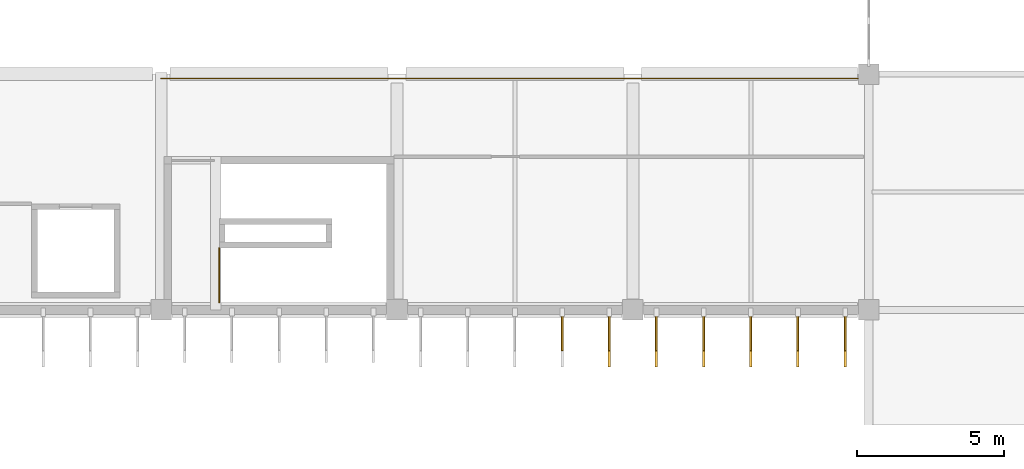
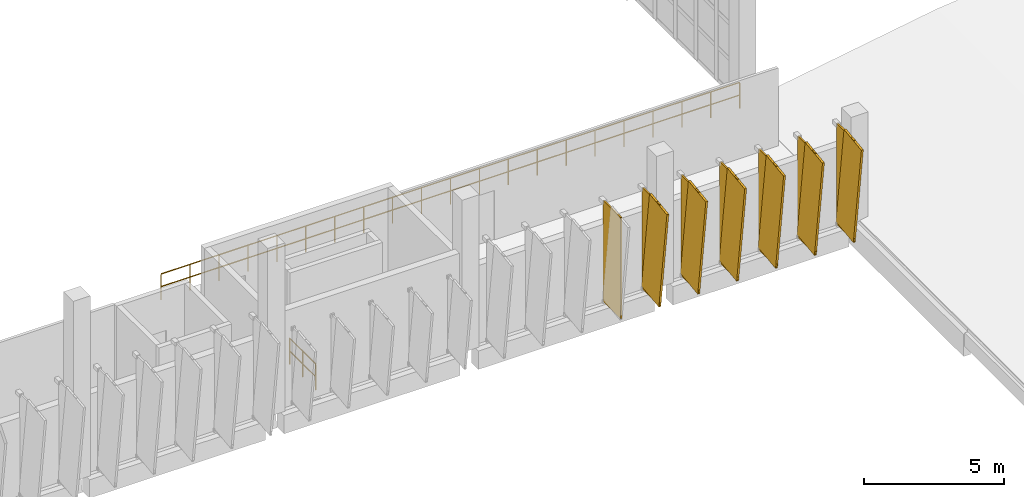
# One storey, part 62 of 66: 7 shading devices, 6 coverings, 2 railings.
"""IFC4 building model written with IfcOpenShell, lengths in metres."""

import ifcopenshell
import ifcopenshell.guid

model = None  # the IFC model being written
_history = None  # IfcOwnerHistory: only IFC2X3 demands one
_inside = {}  # id of a spatial element -> (the spatial element, [elements in it])
_under = {}  # id of a project, library or spatial element -> (it, [spatial elements below it])
_declared = {}  # id of a project -> (the project, [libraries it declares])
_typed = {}  # id of a type object -> (the type object, [elements of that type])
_made_of = {}  # id of a material, layer set ... -> (it, [elements and type objects made of it])


def new_model(schema):
    """Start an empty IFC model of exactly this schema.

    Asked for "IFC4X3", IfcOpenShell would pick the latest addendum, in which some entities
    have other attributes; the version numbers below select the first issue.
    IFC2X3 requires an IfcOwnerHistory on every rooted entity: one is made here for all.
    """
    global model, _history
    if schema == "IFC4X3":
        model = ifcopenshell.file(schema_version=(4, 3, 0, 0))
    else:
        model = ifcopenshell.file(schema=schema)
    _inside.clear()
    _under.clear()
    _declared.clear()
    _typed.clear()
    _made_of.clear()
    _history = None
    if model.schema == "IFC2X3":
        org = make("IfcOrganization", Name="unknown")
        user = make(
            "IfcPersonAndOrganization",
            ThePerson=make("IfcPerson", FamilyName="unknown"),
            TheOrganization=org,
        )
        app = make(
            "IfcApplication",
            ApplicationDeveloper=org,
            Version="unknown",
            ApplicationFullName="unknown",
            ApplicationIdentifier="unknown",
        )
        _history = make(
            "IfcOwnerHistory",
            OwningUser=user,
            OwningApplication=app,
            ChangeAction="ADDED",
            CreationDate=0,
        )
    return model


def make(cls, **values):
    """One entity of the class cls with the attributes given. An attribute that is None is left unset."""
    return model.create_entity(
        cls, **{name: value for name, value in values.items() if value is not None}
    )


def rooted(cls, **values):
    """An entity with a GlobalId (a new one), such as an element, a storey or a relation."""
    return make(cls, GlobalId=ifcopenshell.guid.new(), OwnerHistory=_history, **values)


def si_unit(unit_type, name, prefix=None):
    """IfcSIUnit, for example si_unit("LENGTHUNIT", "METRE", prefix="MILLI")."""
    return make("IfcSIUnit", UnitType=unit_type, Prefix=prefix, Name=name)


def assignment(units):
    """IfcUnitAssignment: the units of a project."""
    return None if units is None else make("IfcUnitAssignment", Units=units)


def point(xyz):
    """IfcCartesianPoint."""
    return None if xyz is None else make("IfcCartesianPoint", Coordinates=xyz)


def direction(xyz):
    """IfcDirection."""
    return None if xyz is None else make("IfcDirection", DirectionRatios=xyz)


def frame(location, z_axis=None, x_axis=None):
    """IfcAxis2Placement3D, a coordinate frame: its origin and axes. An axis left out is left unset."""
    return make(
        "IfcAxis2Placement3D",
        Location=point(location),
        Axis=direction(z_axis),
        RefDirection=direction(x_axis),
    )


def frame_2d(location, x_axis=None):
    """IfcAxis2Placement2D, a coordinate frame in the plane: its origin and x axis."""
    return make(
        "IfcAxis2Placement2D", Location=point(location), RefDirection=direction(x_axis)
    )


def origin():
    """The frame at (0, 0, 0) with its axes left unset."""
    return frame((0.0, 0.0, 0.0))


def origin_2d():
    """The frame at (0, 0) in the plane with its x axis left unset."""
    return frame_2d((0.0, 0.0))


def place(relative_to, where):
    """IfcLocalPlacement: puts the frame where relative to a parent placement (None: the world)."""
    return make(
        "IfcLocalPlacement", PlacementRelTo=relative_to, RelativePlacement=where
    )


def context(
    kind, dimensions, precision=None, world=None, true_north=None, identifier=None
):
    """IfcGeometricRepresentationContext, for example the 3D "Model" context."""
    return make(
        "IfcGeometricRepresentationContext",
        ContextIdentifier=identifier,
        ContextType=kind,
        CoordinateSpaceDimension=dimensions,
        Precision=precision,
        WorldCoordinateSystem=world,
        TrueNorth=true_north,
    )


def subcontext(parent, identifier, kind, view, scale=None):
    """IfcGeometricRepresentationSubContext, for example "Body" below "Model"."""
    return make(
        "IfcGeometricRepresentationSubContext",
        ContextIdentifier=identifier,
        ContextType=kind,
        ParentContext=parent,
        TargetScale=scale,
        TargetView=view,
    )


def project(units=None, contexts=None):
    """IfcProject with its units and contexts."""
    return rooted(
        "IfcProject",
        Name="project",
        RepresentationContexts=contexts,
        UnitsInContext=assignment(units),
    )


def spatial(cls, under=None, at=None, **own):
    """A site, building, storey or space (cls), placed at a placement, below another one or the project."""
    s = rooted(cls, ObjectPlacement=at, **own)
    if under is not None:
        _under.setdefault(under.id(), (under, []))[1].append(s)
    return s


def profile(cls, at=None, kind="AREA", **sizes):
    """A parametric profile (cls). Its sizes go by their IFC names, for example OverallWidth=200.0."""
    return make(cls, ProfileType=kind, Position=at, **sizes)


def rectangle(**sizes):
    """IfcRectangleProfileDef."""
    return profile("IfcRectangleProfileDef", **sizes)


def circle(**sizes):
    """IfcCircleProfileDef."""
    return profile("IfcCircleProfileDef", **sizes)


def extrude(swept, where, along, depth):
    """IfcExtrudedAreaSolid: the profile swept, set in the frame where, extruded along a direction by depth."""
    return make(
        "IfcExtrudedAreaSolid",
        SweptArea=swept,
        Position=where,
        ExtrudedDirection=direction(along),
        Depth=depth,
    )


def shape(context_of_items, identifier, shape_type, items):
    """IfcShapeRepresentation: the items that make up one representation, for example the "Body"."""
    return make(
        "IfcShapeRepresentation",
        ContextOfItems=context_of_items,
        RepresentationIdentifier=identifier,
        RepresentationType=shape_type,
        Items=items,
    )


def material(Name=None, Category=None):
    """IfcMaterial."""
    return make("IfcMaterial", Name=Name, Category=Category)


def made_of(thing, what):
    """Note that an element or type object is made of a material, layer set ...; save() writes the relation."""
    if what is not None:
        _made_of.setdefault(what.id(), (what, []))[1].append(thing)
    return thing


def type_object(cls, material=None, **own):
    """A type object (cls), such as IfcWallType, which elements share."""
    return made_of(rooted(cls, **own), material)


def element(
    cls,
    number,
    at=None,
    inside=None,
    cuts=None,
    type_object=None,
    material=None,
    context=None,
    identifier="Body",
    shape_type=None,
    held_by="IfcProductDefinitionShape",
    body=None,
    shapes=None,
    **own,
):
    """One element of the class cls, such as IfcWall. Its Tag is "e" and its number.

    at: its placement. inside: the storey or other place that contains it. cuts: it is an
    opening in that element (IfcRelVoidsElement). A single representation is given by context,
    identifier, shape_type and body (its items); several are given by shapes. held_by: the class
    of the entity that holds the representations. save() writes the other relations.
    """
    e = rooted(cls, Tag="e%d" % number, ObjectPlacement=at, **own)
    if body is not None:
        shapes = [shape(context, identifier, shape_type, body)]
    if shapes is not None:
        e.Representation = make(held_by, Representations=shapes)
    if inside is not None:
        _inside.setdefault(inside.id(), (inside, []))[1].append(e)
    if cuts is not None:
        rooted(
            "IfcRelVoidsElement", RelatingBuildingElement=cuts, RelatedOpeningElement=e
        )
    if type_object is not None:
        _typed.setdefault(type_object.id(), (type_object, []))[1].append(e)
    return made_of(e, material)


def aggregate(whole, parts):
    """IfcRelAggregates: a whole, such as a stair, and the parts it consists of."""
    return rooted("IfcRelAggregates", RelatingObject=whole, RelatedObjects=parts)


def save(model, path):
    """Write the relations noted so far, then the file.

    IfcRelAggregates (storeys below a building ...), IfcRelContainedInSpatialStructure (elements
    in a storey), IfcRelDefinesByType, IfcRelAssociatesMaterial and IfcRelDeclares: one each for
    every whole, place, type object, material and project.
    """
    for whole, parts in _under.values():
        aggregate(whole, parts)
    for where, things in _inside.values():
        rooted(
            "IfcRelContainedInSpatialStructure",
            RelatedElements=things,
            RelatingStructure=where,
        )
    for kind, things in _typed.values():
        rooted("IfcRelDefinesByType", RelatedObjects=things, RelatingType=kind)
    for what, things in _made_of.values():
        rooted("IfcRelAssociatesMaterial", RelatedObjects=things, RelatingMaterial=what)
    for by, libraries in _declared.values():
        rooted("IfcRelDeclares", RelatingContext=by, RelatedDefinitions=libraries)
    model.write(path)


model = new_model("IFC4")

# Units and contexts
model_context = context("Model", 3, precision=1e-05, world=origin(), true_north=direction((0.0, 1.0)))
body_context = subcontext(model_context, "Body", "Model", "MODEL_VIEW")
ifc_project = project(units=[si_unit("LENGTHUNIT", "METRE"), si_unit("AREAUNIT", "SQUARE_METRE"), si_unit("VOLUMEUNIT", "CUBIC_METRE"), si_unit("PLANEANGLEUNIT", "RADIAN"), si_unit("MASSUNIT", "GRAM", prefix="KILO")], contexts=[model_context])

# Site, building, storey
site_placement = place(None, origin())
site = spatial("IfcSite", under=ifc_project, at=site_placement, CompositionType="ELEMENT")
building_placement = place(site_placement, origin())
building = spatial("IfcBuilding", under=site, at=building_placement, Name="Drelvana Railside Aquatics Centre", CompositionType="ELEMENT")
storey_placement = place(building_placement, frame((0.0, 0.0, 10.199951171875)))
storey = spatial("IfcBuildingStorey", under=building, at=storey_placement, Name="L02", CompositionType="ELEMENT", Elevation=10.199951171875)

# Coverings
ifc_material_1 = material(Name="Bronze-anodised extruded aluminium 6063-T6", Category="aluminium")
covering_type = type_object("IfcCoveringType", Name="COV-FIN-ALU", PredefinedType="CLADDING", material=ifc_material_1)
for number, where, z_axis, x_axis, name in (
    (1, (87.199951171875, 15.264892578125, 0.038818359375), (0.0, -0.13052619222, 0.991444861374), (-1.0, 0.0, 0.0), "Vertical aluminium fin cladding CF-0128"),
    (2, (88.800048828125, 15.264892578125, 0.038818359375), (0.0, -0.13052619222, 0.991444861374), (-1.0, 0.0, 0.0), "Vertical aluminium fin cladding CF-0140"),
    (3, (90.39990234375, 15.264892578125, 0.038818359375), (0.0, -0.13052619222, 0.991444861374), (-1.0, 0.0, 0.0), "Vertical aluminium fin cladding CF-0141"),
    (4, (92.0, 15.264892578125, 0.038818359375), (0.0, -0.13052619222, 0.991444861374), (-1.0, 0.0, 0.0), "Vertical aluminium fin cladding CF-0142"),
    (5, (93.60009765625, 15.264892578125, 0.038818359375), (0.0, -0.13052619222, 0.991444861374), (-1.0, 0.0, 0.0), "Vertical aluminium fin cladding CF-0143"),
    (6, (95.199951171875, 15.264892578125, 0.038818359375), (0.0, -0.13052619222, 0.991444861374), (-1.0, 0.0, 0.0), "Vertical aluminium fin cladding CF-0144"),
):
    element("IfcCovering", number, at=place(storey_placement, frame(where, z_axis=z_axis, x_axis=x_axis)), inside=storey, type_object=covering_type, Name=name, PredefinedType="CLADDING", context=body_context, shape_type="SweptSolid", body=[
        extrude(rectangle(XDim=0.0849609375, YDim=1.25, at=origin_2d()), origin(), (0.0, 0.0, 1.0), 4.39990234375),
    ])

# Railings
ifc_material_2 = material(Name="Laminated glass and bronze-stainless gallery balustrade", Category="glass")
railing_type_1 = type_object("IfcRailingType", Name="RAL-GALLERY-1150", PredefinedType="BALUSTRADE", material=ifc_material_2)
railing_1_placement = place(storey_placement, frame((72.0, 23.85009765625, 0.0)))
element("IfcRailing", 7, at=railing_1_placement, inside=storey, type_object=railing_type_1, Name="Gallery balustrade 8 (L02)", PredefinedType="BALUSTRADE", context=body_context, shape_type="SweptSolid", body=[
    extrude(circle(Radius=0.02392578125, at=origin_2d()), frame((0.0, 0.0, 1.1259765625), z_axis=(1.0, 0.0, 0.0), x_axis=(0.0, 1.0, 0.0)), (0.0, 0.0, 1.0), 23.800048828125),
    extrude(circle(Radius=0.02392578125, at=origin_2d()), frame((0.0, 0.0, 0.574951171875), z_axis=(1.0, 0.0, 0.0), x_axis=(0.0, 1.0, 0.0)), (0.0, 0.0, 1.0), 23.800048828125),
    extrude(circle(Radius=0.02099609375, at=origin_2d()), origin(), (0.0, 0.0, 1.0), 1.101806640625),
    extrude(circle(Radius=0.02099609375, at=origin_2d()), frame((1.18994140625, 0.0, 0.0)), (0.0, 0.0, 1.0), 1.101806640625),
    extrude(circle(Radius=0.02099609375, at=origin_2d()), frame((2.3798828125, 0.0, 0.0)), (0.0, 0.0, 1.0), 1.101806640625),
    extrude(circle(Radius=0.02099609375, at=origin_2d()), frame((3.570068359375, 0.0, 0.0)), (0.0, 0.0, 1.0), 1.101806640625),
    extrude(circle(Radius=0.02099609375, at=origin_2d()), frame((4.760009765625, 0.0, 0.0)), (0.0, 0.0, 1.0), 1.101806640625),
    extrude(circle(Radius=0.02099609375, at=origin_2d()), frame((5.949951171875, 0.0, 0.0)), (0.0, 0.0, 1.0), 1.101806640625),
    extrude(circle(Radius=0.02099609375, at=origin_2d()), frame((7.14013671875, 0.0, 0.0)), (0.0, 0.0, 1.0), 1.101806640625),
    extrude(circle(Radius=0.02099609375, at=origin_2d()), frame((8.330078125, 0.0, 0.0)), (0.0, 0.0, 1.0), 1.101806640625),
    extrude(circle(Radius=0.02099609375, at=origin_2d()), frame((9.52001953125, 0.0, 0.0)), (0.0, 0.0, 1.0), 1.101806640625),
    extrude(circle(Radius=0.02099609375, at=origin_2d()), frame((10.7099609375, 0.0, 0.0)), (0.0, 0.0, 1.0), 1.101806640625),
    extrude(circle(Radius=0.02099609375, at=origin_2d()), frame((11.89990234375, 0.0, 0.0)), (0.0, 0.0, 1.0), 1.101806640625),
    extrude(circle(Radius=0.02099609375, at=origin_2d()), frame((13.090087890625, 0.0, 0.0)), (0.0, 0.0, 1.0), 1.101806640625),
    extrude(circle(Radius=0.02099609375, at=origin_2d()), frame((14.280029296875, 0.0, 0.0)), (0.0, 0.0, 1.0), 1.101806640625),
    extrude(circle(Radius=0.02099609375, at=origin_2d()), frame((15.469970703125, 0.0, 0.0)), (0.0, 0.0, 1.0), 1.101806640625),
    extrude(circle(Radius=0.02099609375, at=origin_2d()), frame((16.66015625, 0.0, 0.0)), (0.0, 0.0, 1.0), 1.101806640625),
    extrude(circle(Radius=0.02099609375, at=origin_2d()), frame((17.85009765625, 0.0, 0.0)), (0.0, 0.0, 1.0), 1.101806640625),
    extrude(circle(Radius=0.02099609375, at=origin_2d()), frame((19.0400390625, 0.0, 0.0)), (0.0, 0.0, 1.0), 1.101806640625),
    extrude(circle(Radius=0.02099609375, at=origin_2d()), frame((20.22998046875, 0.0, 0.0)), (0.0, 0.0, 1.0), 1.101806640625),
    extrude(circle(Radius=0.02099609375, at=origin_2d()), frame((21.419921875, 0.0, 0.0)), (0.0, 0.0, 1.0), 1.101806640625),
    extrude(circle(Radius=0.02099609375, at=origin_2d()), frame((22.610107421875, 0.0, 0.0)), (0.0, 0.0, 1.0), 1.101806640625),
    extrude(circle(Radius=0.02099609375, at=origin_2d()), frame((23.800048828125, 0.0, 0.0)), (0.0, 0.0, 1.0), 1.101806640625),
])
ifc_material_3 = material(Name="Brushed stainless steel stairwell guard", Category="steel")
railing_type_2 = type_object("IfcRailingType", Name="RAL-STAIR-1150", PredefinedType="GUARDRAIL", material=ifc_material_3)
railing_2_placement = place(storey_placement, frame((73.969970703125, 16.25, 0.0)))
element("IfcRailing", 8, at=railing_2_placement, inside=storey, type_object=railing_type_2, Name="Stair ST-02 top landing guard", PredefinedType="GUARDRAIL", context=body_context, shape_type="SweptSolid", body=[
    extrude(circle(Radius=0.02392578125, at=origin_2d()), frame((0.0, 0.0, 1.1259765625), z_axis=(0.0, 1.0, 0.0), x_axis=(-1.0, 0.0, 0.0)), (0.0, 0.0, 1.0), 1.85009765625),
    extrude(circle(Radius=0.02392578125, at=origin_2d()), frame((0.0, 0.0, 0.574951171875), z_axis=(0.0, 1.0, 0.0), x_axis=(-1.0, 0.0, 0.0)), (0.0, 0.0, 1.0), 1.85009765625),
    extrude(circle(Radius=0.02099609375, at=origin_2d()), origin(), (0.0, 0.0, 1.0), 1.101806640625),
    extrude(circle(Radius=0.02099609375, at=origin_2d()), frame((0.0, 0.925048828125, 0.0)), (0.0, 0.0, 1.0), 1.101806640625),
    extrude(circle(Radius=0.02099609375, at=origin_2d()), frame((0.0, 1.85009765625, 0.0)), (0.0, 0.0, 1.0), 1.101806640625),
])

# Shading devices
shading_device_type = type_object("IfcShadingDeviceType", Name="SHD-FIN-1250", PredefinedType="USERDEFINED", material=ifc_material_1)
for number, where, z_axis, x_axis, name in (
    (9, (85.60009765625, 15.2451171875, 0.02001953125), (0.0, 0.0, 1.0), (0.0, -1.0, 0.0), "Vertical bronze shading fin FN-0127"),
    (10, (87.199951171875, 15.2451171875, 0.02001953125), (0.0, 0.0, 1.0), (0.0, -1.0, 0.0), "Vertical bronze shading fin FN-0128"),
    (11, (88.800048828125, 15.2451171875, 0.02001953125), (0.0, 0.0, 1.0), (0.0, -1.0, 0.0), "Vertical bronze shading fin FN-0140"),
    (12, (90.39990234375, 15.2451171875, 0.02001953125), (0.0, 0.0, 1.0), (0.0, -1.0, 0.0), "Vertical bronze shading fin FN-0141"),
    (13, (92.0, 15.2451171875, 0.02001953125), (0.0, 0.0, 1.0), (0.0, -1.0, 0.0), "Vertical bronze shading fin FN-0142"),
    (14, (93.60009765625, 15.2451171875, 0.02001953125), (0.0, 0.0, 1.0), (0.0, -1.0, 0.0), "Vertical bronze shading fin FN-0143"),
    (15, (95.199951171875, 15.2451171875, 0.02001953125), (0.0, 0.0, 1.0), (0.0, -1.0, 0.0), "Vertical bronze shading fin FN-0144"),
):
    element("IfcShadingDevice", number, at=place(storey_placement, frame(where, z_axis=z_axis, x_axis=x_axis)), inside=storey, type_object=shading_device_type, Name=name, ObjectType="FIN", PredefinedType="USERDEFINED", context=body_context, shape_type="SweptSolid", body=[
        extrude(rectangle(XDim=1.25, YDim=0.06494140625, at=origin_2d()), origin(), (0.0, 0.0, 1.0), 4.39990234375),
    ])

save(model, "model.ifc")
